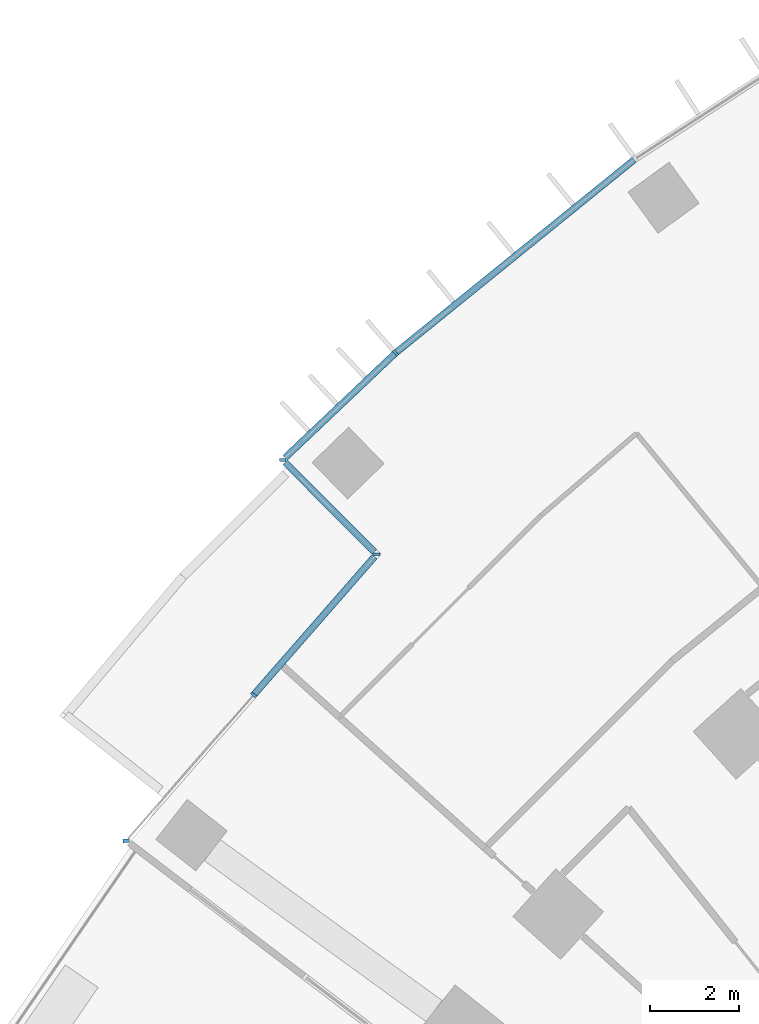
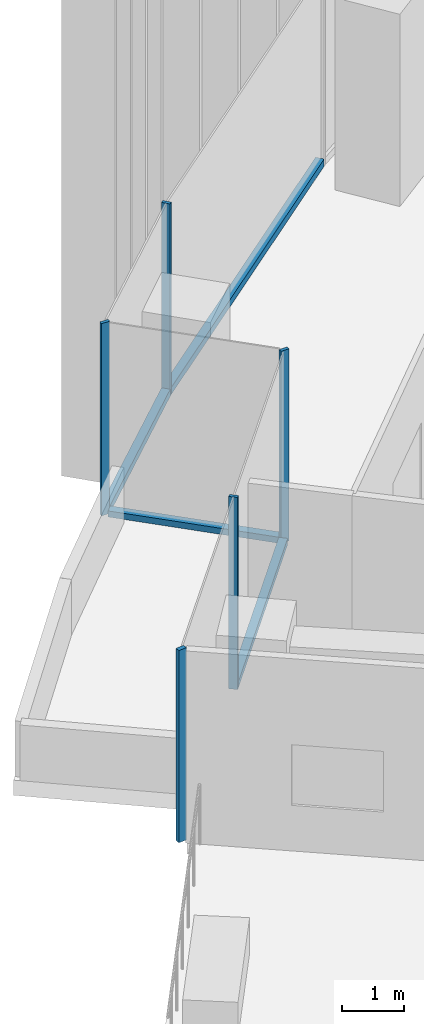
# One storey, part 3 of 21: 9 members, 4 elements without a shape of their own.
"""IFC4 building model written with IfcOpenShell, lengths in metres."""

from ifc_helpers import new_model, si_unit, direction, frame, origin, origin_2d, place, context, subcontext, project, spatial, rectangle, extrude, material, layer, layer_set, material_profile, profile_set, type_object, element, aggregate, save


model = new_model("IFC4")

# Units and contexts
model_context = context("Model", 3, precision=1e-05, world=origin(), true_north=direction((0.0, 1.0)))
body_context = subcontext(model_context, "Body", "Model", "MODEL_VIEW")
ifc_project = project(units=[si_unit("LENGTHUNIT", "METRE"), si_unit("AREAUNIT", "SQUARE_METRE"), si_unit("VOLUMEUNIT", "CUBIC_METRE"), si_unit("PLANEANGLEUNIT", "RADIAN"), si_unit("MASSUNIT", "GRAM", prefix="KILO")], contexts=[model_context])

# Site, building, storey
site_placement = place(None, origin())
site = spatial("IfcSite", under=ifc_project, at=site_placement, CompositionType="ELEMENT")
building_placement = place(site_placement, origin())
building = spatial("IfcBuilding", under=site, at=building_placement, Name="Stone Belt Terrace Tower", CompositionType="ELEMENT")
storey_placement = place(building_placement, frame((0.0, 0.0, 87.0)))
storey = spatial("IfcBuildingStorey", under=building, at=storey_placement, Name="L20", CompositionType="ELEMENT", Elevation=87.0)

# Curtain wall, members
ifc_material = material(Name="Aluminium 6063-T6 anodised frame", Category="aluminium")
ifc_layer_1 = layer(ifc_material, 0.14990234375)
ifc_layer_set_1 = layer_set([ifc_layer_1], Name="CW-A unitised convex-face curtain wall")
curtain_wall_type_1 = type_object("IfcCurtainWallType", Name="CW-A unitised convex-face curtain wall", PredefinedType="NOTDEFINED", material=ifc_layer_set_1)
curtain_wall_1_placement = place(storey_placement, origin())
curtain_wall_1 = element("IfcCurtainWall", 1, at=curtain_wall_1_placement, inside=storey, type_object=curtain_wall_type_1, Name="CW-A convex face L20", PredefinedType="NOTDEFINED")
ifc_material_profile_1 = material_profile(ifc_material, rectangle(XDim=0.14990234375, YDim=0.06005859375, at=origin_2d()), Name="Aluminium 6063-T6 60x150")
ifc_profile_set_1 = profile_set([ifc_material_profile_1], Name="Aluminium 6063-T6 anodised frame")
member_type_1 = type_object("IfcMemberType", Name="CW-A mullion 60 x 150", PredefinedType="MULLION", material=ifc_profile_set_1)
member_1_placement = place(storey_placement, frame((-44.546630859375, 49.4755859375, 0.0), z_axis=(0.0, 0.0, 1.0), x_axis=(0.659207369679, -0.751961198308, 0.0)))
member_1 = element("IfcMember", 2, at=member_1_placement, type_object=member_type_1, Name="CW-A mullion 17", PredefinedType="MULLION", context=body_context, shape_type="SweptSolid", body=[
    extrude(rectangle(XDim=0.14990234375, YDim=0.06005859375, at=origin_2d()), origin(), (0.0, 0.0, 1.0), 3.800048828125),
])
ifc_material_profile_2 = material_profile(ifc_material, rectangle(XDim=0.14990234375, YDim=0.139892578125, at=origin_2d()), Name="Aluminium 6063-T6 150x140")
ifc_profile_set_2 = profile_set([ifc_material_profile_2], Name="Aluminium 6063-T6 anodised frame")
member_type_2 = type_object("IfcMemberType", Name="CW-A transom 140 x 150", PredefinedType="USERDEFINED", material=ifc_profile_set_2)
member_2_placement = place(storey_placement, frame((-39.158203125, 53.839111328125, 0.070068359375), z_axis=(-0.777141048626, -0.629326457842, 0.0), x_axis=(0.629326457842, -0.777141048626, 0.0)))
member_2 = element("IfcMember", 3, at=member_2_placement, type_object=member_type_2, Name="CW-A transom 16.1", ObjectType="TRANSOM", PredefinedType="USERDEFINED", context=body_context, shape_type="SweptSolid", body=[
    extrude(rectangle(XDim=0.14990234375, YDim=0.139892578125, at=origin_2d()), origin(), (0.0, 0.0, 1.0), 6.900634765625),
])
member_3_placement = place(storey_placement, frame((-44.570556640625, 49.452880859375, 0.070068359375), z_axis=(-0.7256436034, -0.688070752789, 0.0), x_axis=(0.688070752789, -0.7256436034, 0.0)))
member_3 = element("IfcMember", 4, at=member_3_placement, type_object=member_type_2, Name="CW-A transom 17.1", ObjectType="TRANSOM", PredefinedType="USERDEFINED", context=body_context, shape_type="SweptSolid", body=[
    extrude(rectangle(XDim=0.14990234375, YDim=0.139892578125, at=origin_2d()), origin(), (0.0, 0.0, 1.0), 3.40478515625),
])
aggregate(curtain_wall_1, [member_1, member_2, member_3])

# Curtain wall, member
ifc_layer_2 = layer(ifc_material, 0.14990234375)
ifc_layer_set_2 = layer_set([ifc_layer_2], Name="CW-C stick curtain wall, horn ends and notches")
curtain_wall_type_2 = type_object("IfcCurtainWallType", Name="CW-C stick curtain wall, horn ends and notches", PredefinedType="NOTDEFINED", material=ifc_layer_set_2)
curtain_wall_2_placement = place(storey_placement, origin())
curtain_wall_2 = element("IfcCurtainWall", 5, at=curtain_wall_2_placement, inside=storey, type_object=curtain_wall_type_2, Name="CW-C notch face L20", PredefinedType="NOTDEFINED")
ifc_material_profile_3 = material_profile(ifc_material, rectangle(XDim=0.14990234375, YDim=0.06005859375, at=origin_2d()), Name="Aluminium 6063-T6 60x150")
ifc_profile_set_3 = profile_set([ifc_material_profile_3], Name="Aluminium 6063-T6 anodised frame")
member_type_3 = type_object("IfcMemberType", Name="CW-C mullion 60 x 150", PredefinedType="MULLION", material=ifc_profile_set_3)
member_4_placement = place(storey_placement, frame((-47.095458984375, 47.05859375, 0.0), z_axis=(0.0, 0.0, 1.0), x_axis=(0.999906944568, -0.013641928165, 0.0)))
member_4 = element("IfcMember", 6, at=member_4_placement, type_object=member_type_3, Name="CW-C mullion 1", PredefinedType="MULLION", context=body_context, shape_type="SweptSolid", body=[
    extrude(rectangle(XDim=0.14990234375, YDim=0.06005859375, at=origin_2d()), origin(), (0.0, 0.0, 1.0), 3.800048828125),
])

# Curtain wall, members
curtain_wall_3_placement = place(storey_placement, origin())
curtain_wall_3 = element("IfcCurtainWall", 7, at=curtain_wall_3_placement, inside=storey, type_object=curtain_wall_type_2, Name="CW-C notch face L20", PredefinedType="NOTDEFINED")
member_5_placement = place(storey_placement, frame((-44.970703125, 44.930908203125, 0.0), z_axis=(0.0, 0.0, 1.0), x_axis=(0.999452308644, 0.033092034477, 0.0)))
member_5 = element("IfcMember", 8, at=member_5_placement, type_object=member_type_3, Name="CW-C mullion 1", PredefinedType="MULLION", context=body_context, shape_type="SweptSolid", body=[
    extrude(rectangle(XDim=0.14990234375, YDim=0.06005859375, at=origin_2d()), origin(), (0.0, 0.0, 1.0), 3.800048828125),
])
member_6_placement = place(storey_placement, frame((-47.7509765625, 41.751220703125, 0.0), z_axis=(0.0, 0.0, 1.0), x_axis=(0.752816669569, -0.658230250003, 0.0)))
member_6 = element("IfcMember", 9, at=member_6_placement, type_object=member_type_3, Name="CW-C mullion 2", PredefinedType="MULLION", context=body_context, shape_type="SweptSolid", body=[
    extrude(rectangle(XDim=0.14990234375, YDim=0.06005859375, at=origin_2d()), origin(), (0.0, 0.0, 1.0), 3.800048828125),
])

# Member
ifc_material_profile_4 = material_profile(ifc_material, rectangle(XDim=0.14990234375, YDim=0.1201171875, at=origin_2d()), Name="Aluminium 6063-T6 150x120")
ifc_profile_set_4 = profile_set([ifc_material_profile_4], Name="Aluminium 6063-T6 anodised frame")
member_type_4 = type_object("IfcMemberType", Name="CW-C transom 120 x 150", PredefinedType="USERDEFINED", material=ifc_profile_set_4)
member_7_placement = place(storey_placement, frame((-47.042724609375, 47.005859375, 0.06005859375), z_axis=(0.706594261373, -0.707618929788, 0.0), x_axis=(0.707618929788, 0.706594261373, 0.0)))
member_7 = element("IfcMember", 10, at=member_7_placement, type_object=member_type_4, Name="CW-C transom 1.1", ObjectType="TRANSOM", PredefinedType="USERDEFINED", context=body_context, shape_type="SweptSolid", body=[
    extrude(rectangle(XDim=0.14990234375, YDim=0.1201171875, at=origin_2d()), origin(), (0.0, 0.0, 1.0), 2.859130859375),
])

aggregate(curtain_wall_2, [member_4, member_7])

member_8_placement = place(storey_placement, frame((-45.01904296875, 44.8759765625, 0.06005859375), z_axis=(-0.658210928233, -0.752833563249, 0.0), x_axis=(0.752833563249, -0.658210928233, 0.0)))
member_8 = element("IfcMember", 11, at=member_8_placement, type_object=member_type_4, Name="CW-C transom 1.1", ObjectType="TRANSOM", PredefinedType="USERDEFINED", context=body_context, shape_type="SweptSolid", body=[
    extrude(rectangle(XDim=0.14990234375, YDim=0.1201171875, at=origin_2d()), origin(), (0.0, 0.0, 1.0), 4.12060546875),
])

aggregate(curtain_wall_3, [member_5, member_6, member_8])

# Curtain wall, member
ifc_layer_3 = layer(ifc_material, 0.14990234375)
ifc_layer_set_3 = layer_set([ifc_layer_3], Name="CW-E conservatory and damper hall curtain wall")
curtain_wall_type_3 = type_object("IfcCurtainWallType", Name="CW-E conservatory and damper hall curtain wall", PredefinedType="NOTDEFINED", material=ifc_layer_set_3)
curtain_wall_4_placement = place(storey_placement, origin())
curtain_wall_4 = element("IfcCurtainWall", 12, at=curtain_wall_4_placement, inside=storey, type_object=curtain_wall_type_3, Name="CW-E end face L20", PredefinedType="NOTDEFINED")
ifc_material_profile_5 = material_profile(ifc_material, rectangle(XDim=0.14990234375, YDim=0.080078125, at=origin_2d()), Name="Aluminium 6063-T6 80x150")
ifc_profile_set_5 = profile_set([ifc_material_profile_5], Name="Aluminium 6063-T6 anodised frame")
member_type_5 = type_object("IfcMemberType", Name="CW-E mullion 80 x 150", PredefinedType="MULLION", material=ifc_profile_set_5)
member_9_placement = place(storey_placement, frame((-50.6298828125, 38.45849609375, 0.0), z_axis=(0.0, 0.0, 1.0), x_axis=(0.994927275217, 0.10059680427, 0.0)))
member_9 = element("IfcMember", 13, at=member_9_placement, type_object=member_type_5, Name="CW-E mullion 1", PredefinedType="MULLION", context=body_context, shape_type="SweptSolid", body=[
    extrude(rectangle(XDim=0.14990234375, YDim=0.080078125, at=origin_2d()), origin(), (0.0, 0.0, 1.0), 3.800048828125),
])
aggregate(curtain_wall_4, [member_9])

save(model, "model.ifc")
